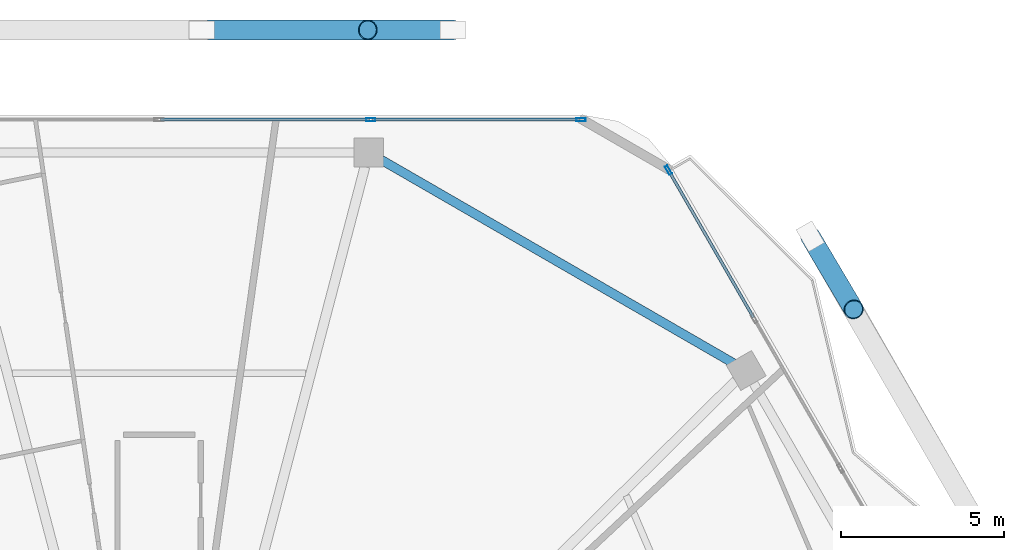
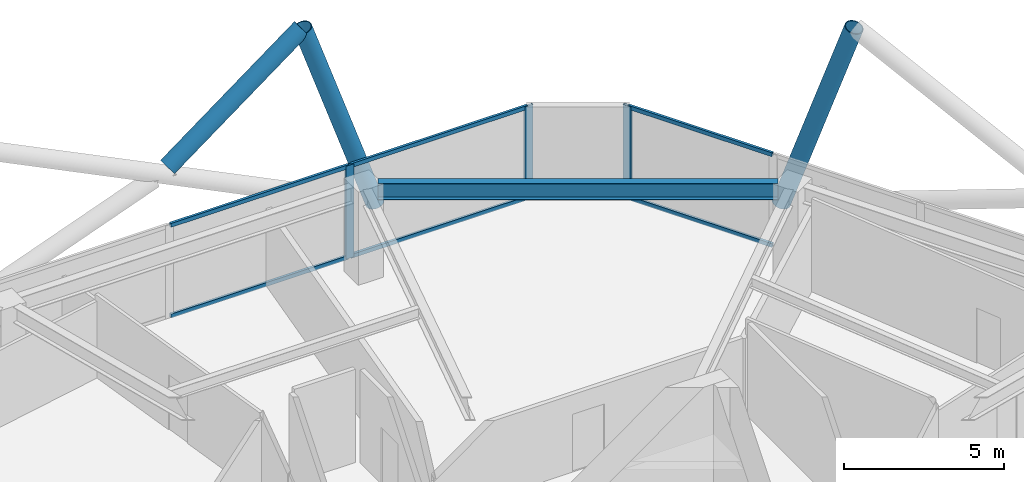
# One storey, part 18 of 27: 12 members, 1 beam, 2 elements without a shape of their own.
"""IFC4 building model written with IfcOpenShell, lengths in metres."""

from ifc_helpers import new_model, si_unit, direction, frame, origin, origin_2d, place, context, subcontext, project, spatial, hollow_rectangle, hollow_circle, i_section, extrude, material, material_profile, profile_set, type_object, element, aggregate, save


model = new_model("IFC4")

# Units and contexts
model_context = context("Model", 3, precision=1e-05, world=origin(), true_north=direction((0.0, 1.0)))
body_context = subcontext(model_context, "Body", "Model", "MODEL_VIEW")
ifc_project = project(units=[si_unit("LENGTHUNIT", "METRE"), si_unit("AREAUNIT", "SQUARE_METRE"), si_unit("VOLUMEUNIT", "CUBIC_METRE"), si_unit("PLANEANGLEUNIT", "RADIAN"), si_unit("MASSUNIT", "GRAM", prefix="KILO")], contexts=[model_context])

# Site, building, storey
site_placement = place(None, origin())
site = spatial("IfcSite", under=ifc_project, at=site_placement, CompositionType="ELEMENT")
building_placement = place(site_placement, origin())
building = spatial("IfcBuilding", under=site, at=building_placement, Name="Zuhravey Tower", CompositionType="ELEMENT")
storey_placement = place(building_placement, frame((0.0, 0.0, 261.60009765625)))
storey = spatial("IfcBuildingStorey", under=building, at=storey_placement, Name="L66", CompositionType="ELEMENT", Elevation=261.60009765625)

# Curtain wall, members
ifc_material_1 = material(Name="Thermally broken anodised aluminium", Category="aluminium")
curtain_wall_type = type_object("IfcCurtainWallType", Name="Zone 3-4 High-Rise Curtain Wall CW4", PredefinedType="NOTDEFINED", material=ifc_material_1)
curtain_wall_1_placement = place(storey_placement, origin())
curtain_wall_1 = element("IfcCurtainWall", 1, at=curtain_wall_1_placement, inside=storey, type_object=curtain_wall_type, Name="L66 CW4 CW-L66-F2-1", PredefinedType="NOTDEFINED")
ifc_material_2 = material(Name="Anodised aluminium", Category="aluminium")
ifc_material_profile_1 = material_profile(ifc_material_2, hollow_rectangle(XDim=0.090087890625, YDim=0.284912109375, WallThickness=0.0048828125, at=origin_2d()), Name="ALU-RHS-90x285x5")
ifc_profile_set_1 = profile_set([ifc_material_profile_1], Name="Anodised aluminium")
member_type_1 = type_object("IfcMemberType", Name="Curtain-Wall Mullion 90x180", PredefinedType="MULLION", material=ifc_profile_set_1)
member_1_placement = place(storey_placement, frame((42.50634765625, 57.563720703125, 0.0), z_axis=(0.0, 0.0, 1.0), x_axis=(0.0, 1.0, 0.0)))
member_1 = element("IfcMember", 2, at=member_1_placement, type_object=member_type_1, Name="CW4 mullion 4", PredefinedType="MULLION", context=body_context, shape_type="SweptSolid", body=[
    extrude(hollow_rectangle(XDim=0.090087890625, YDim=0.284912109375, WallThickness=0.0048828125, at=origin_2d()), origin(), (0.0, 0.0, 1.0), 3.5498046875),
])
member_2_placement = place(storey_placement, frame((48.9677734375, 57.563720703125, 0.0), z_axis=(0.0, 0.0, 1.0), x_axis=(0.0, 1.0, 0.0)))
member_2 = element("IfcMember", 3, at=member_2_placement, type_object=member_type_1, Name="CW4 mullion 5", PredefinedType="MULLION", context=body_context, shape_type="SweptSolid", body=[
    extrude(hollow_rectangle(XDim=0.090087890625, YDim=0.284912109375, WallThickness=0.0048828125, at=origin_2d()), origin(), (0.0, 0.0, 1.0), 3.5498046875),
])

# Curtain wall, member
curtain_wall_2_placement = place(storey_placement, origin())
curtain_wall_2 = element("IfcCurtainWall", 4, at=curtain_wall_2_placement, inside=storey, type_object=curtain_wall_type, Name="L66 CW4 CW-L66-F1-1", PredefinedType="NOTDEFINED")
member_3_placement = place(storey_placement, frame((51.65478515625, 56.01220703125, 0.0), z_axis=(0.0, 0.0, 1.0), x_axis=(0.866025672705, 0.499999534216, 0.0)))
member_3 = element("IfcMember", 5, at=member_3_placement, type_object=member_type_1, Name="CW4 mullion 1", PredefinedType="MULLION", context=body_context, shape_type="SweptSolid", body=[
    extrude(hollow_rectangle(XDim=0.090087890625, YDim=0.284912109375, WallThickness=0.0048828125, at=origin_2d()), origin(), (0.0, 0.0, 1.0), 3.5498046875),
])

# Member
ifc_material_profile_2 = material_profile(ifc_material_2, hollow_rectangle(XDim=0.090087890625, YDim=0.14990234375, WallThickness=0.0048828125, at=origin_2d()), Name="ALU-RHS-90x150x5")
ifc_profile_set_2 = profile_set([ifc_material_profile_2], Name="Anodised aluminium")
member_type_2 = type_object("IfcMemberType", Name="Curtain-Wall Transom 90x150", PredefinedType="USERDEFINED", material=ifc_profile_set_2)
member_4_placement = place(storey_placement, frame((36.044921875, 57.563720703125, 0.044921875), z_axis=(1.0, 0.0, 0.0), x_axis=(0.0, 1.0, 0.0)))
member_4 = element("IfcMember", 6, at=member_4_placement, type_object=member_type_2, Name="CW4 transom 3.1", ObjectType="TRANSOM", PredefinedType="USERDEFINED", context=body_context, shape_type="SweptSolid", body=[
    extrude(hollow_rectangle(XDim=0.090087890625, YDim=0.14990234375, WallThickness=0.0048828125, at=origin_2d()), origin(), (0.0, 0.0, 1.0), 6.41650390625),
])

member_5_placement = place(storey_placement, frame((36.044921875, 57.563720703125, 3.5048828125), z_axis=(1.0, 0.0, 0.0), x_axis=(0.0, 1.0, 0.0)))
member_5 = element("IfcMember", 7, at=member_5_placement, type_object=member_type_2, Name="CW4 transom 3.2", ObjectType="TRANSOM", PredefinedType="USERDEFINED", context=body_context, shape_type="SweptSolid", body=[
    extrude(hollow_rectangle(XDim=0.090087890625, YDim=0.14990234375, WallThickness=0.0048828125, at=origin_2d()), origin(), (0.0, 0.0, 1.0), 6.41650390625),
])

member_6_placement = place(storey_placement, frame((42.55126953125, 57.563720703125, 0.044921875), z_axis=(1.0, 0.0, 0.0), x_axis=(0.0, 1.0, 0.0)))
member_6 = element("IfcMember", 8, at=member_6_placement, type_object=member_type_2, Name="CW4 transom 4.1", ObjectType="TRANSOM", PredefinedType="USERDEFINED", context=body_context, shape_type="SweptSolid", body=[
    extrude(hollow_rectangle(XDim=0.090087890625, YDim=0.14990234375, WallThickness=0.0048828125, at=origin_2d()), origin(), (0.0, 0.0, 1.0), 6.371337890625),
])

member_7_placement = place(storey_placement, frame((42.55126953125, 57.563720703125, 3.5048828125), z_axis=(1.0, 0.0, 0.0), x_axis=(0.0, 1.0, 0.0)))
member_7 = element("IfcMember", 9, at=member_7_placement, type_object=member_type_2, Name="CW4 transom 4.2", ObjectType="TRANSOM", PredefinedType="USERDEFINED", context=body_context, shape_type="SweptSolid", body=[
    extrude(hollow_rectangle(XDim=0.090087890625, YDim=0.14990234375, WallThickness=0.0048828125, at=origin_2d()), origin(), (0.0, 0.0, 1.0), 6.371337890625),
])

aggregate(curtain_wall_1, [member_1, member_2, member_4, member_5, member_6, member_7])

member_8_placement = place(storey_placement, frame((51.677490234375, 55.97314453125, 0.044921875), z_axis=(0.499967312778, -0.866044274939, 0.0), x_axis=(0.866044274939, 0.499967312778, 0.0)))
member_8 = element("IfcMember", 10, at=member_8_placement, type_object=member_type_2, Name="CW4 transom 1.1", ObjectType="TRANSOM", PredefinedType="USERDEFINED", context=body_context, shape_type="SweptSolid", body=[
    extrude(hollow_rectangle(XDim=0.090087890625, YDim=0.14990234375, WallThickness=0.0048828125, at=origin_2d()), origin(), (0.0, 0.0, 1.0), 5.178466796875),
])

member_9_placement = place(storey_placement, frame((51.677490234375, 55.97314453125, 3.5048828125), z_axis=(0.499967312778, -0.866044274939, 0.0), x_axis=(0.866044274939, 0.499967312778, 0.0)))
member_9 = element("IfcMember", 11, at=member_9_placement, type_object=member_type_2, Name="CW4 transom 1.2", ObjectType="TRANSOM", PredefinedType="USERDEFINED", context=body_context, shape_type="SweptSolid", body=[
    extrude(hollow_rectangle(XDim=0.090087890625, YDim=0.14990234375, WallThickness=0.0048828125, at=origin_2d()), origin(), (0.0, 0.0, 1.0), 5.178466796875),
])

aggregate(curtain_wall_2, [member_3, member_8, member_9])

# Members
ifc_material_3 = material(Name="Steel SM355", Category="steel")
ifc_material_profile_3 = material_profile(ifc_material_3, hollow_circle(Radius=0.3046875, WallThickness=0.028076171875, at=origin_2d()), Name="CHS-609.6x28")
ifc_profile_set_3 = profile_set([ifc_material_profile_3], Name="Steel SM355")
member_type_3 = type_object("IfcMemberType", Name="Exoskeleton Zone 3 Diagrid CHS610x28", PredefinedType="BRACE", material=ifc_profile_set_3)
for number, where, z_axis, x_axis, name in (
    (12, (56.017578125, 53.975830078125, -0.446044921875), (0.166263547493, -0.280502989926, 0.945343591197), (0.860238328743, 0.509892162876, 0.0), "L66 Face 1 Diagrid Brace 4"),
    (13, (45.022705078125, 60.323486328125, -0.446044921875), (-0.326060268586, 0.0, 0.945348983841), (0.0, -1.0, 0.0), "L66 Face 2 Diagrid Brace 1"),
):
    element("IfcMember", number, at=place(storey_placement, frame(where, z_axis=z_axis, x_axis=x_axis)), inside=storey, type_object=member_type_3, Name=name, PredefinedType="BRACE", context=body_context, shape_type="SweptSolid", body=[
        extrude(hollow_circle(Radius=0.3046875, WallThickness=0.028076171875, at=origin_2d()), origin(), (0.0, 0.0, 1.0), 8.001220703125),
    ])
member_10_placement = place(storey_placement, frame((37.547119140625, 60.323486328125, 3.51220703125), z_axis=(0.801714073603, 0.0, 0.597707741448), x_axis=(0.0, 1.0, 0.0)))
element("IfcMember", 14, at=member_10_placement, inside=storey, type_object=member_type_3, Name="L66 Face 2 Split Diagrid Brace 3B", PredefinedType="BRACE", context=body_context, shape_type="SweptSolid", body=[
    extrude(hollow_circle(Radius=0.3046875, WallThickness=0.028076171875, at=origin_2d()), origin(), (0.0, 0.0, 1.0), 6.02197265625),
])

# Beam
ifc_material_profile_4 = material_profile(ifc_material_3, i_section(OverallWidth=0.280029296875, OverallDepth=0.6201171875, WebThickness=0.011962890625, FlangeThickness=0.02001953125, at=origin_2d()), Name="H-620x280x12x20")
ifc_profile_set_4 = profile_set([ifc_material_profile_4], Name="Steel SM355")
beam_type = type_object("IfcBeamType", Name="Perimeter Ring Beam H620x280", PredefinedType="BEAM", material=ifc_profile_set_4)
beam_placement = place(storey_placement, frame((53.6513671875, 50.081298828125, 3.239990234375), z_axis=(-0.866025131093, 0.500000472315, 0.0), x_axis=(-0.500000472315, -0.866025131093, 0.0)))
element("IfcBeam", 15, at=beam_placement, inside=storey, type_object=beam_type, Name="L66 PB3 BM-L66-PB-02", PredefinedType="BEAM", context=body_context, shape_type="SweptSolid", body=[
    extrude(i_section(OverallWidth=0.280029296875, OverallDepth=0.6201171875, WebThickness=0.011962890625, FlangeThickness=0.02001953125, at=origin_2d()), origin(), (0.0, 0.0, 1.0), 12.49169921875),
])

save(model, "model.ifc")
